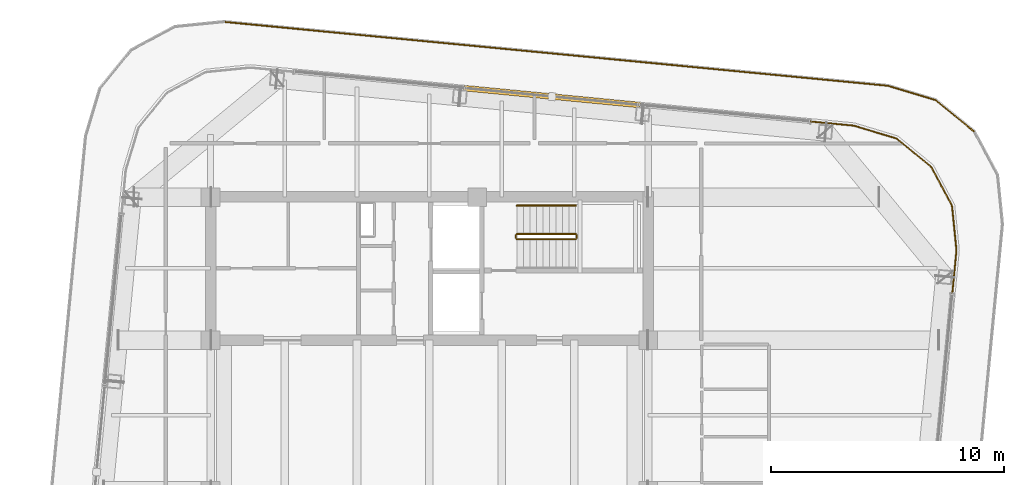
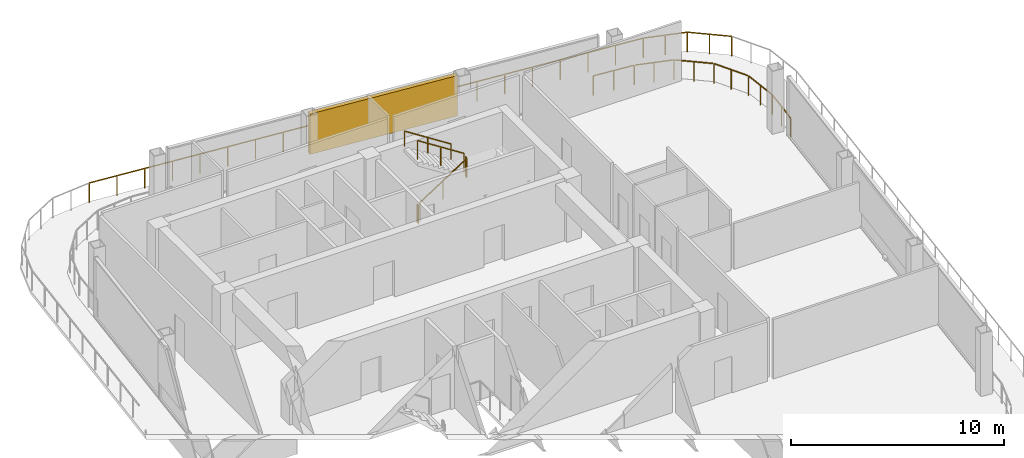
# One storey, part 19 of 20: 9 railings, 1 shading device.
"""IFC4 building model written with IfcOpenShell, lengths in metres."""

import ifcopenshell
import ifcopenshell.guid

model = None  # the IFC model being written
_history = None  # IfcOwnerHistory: only IFC2X3 demands one
_inside = {}  # id of a spatial element -> (the spatial element, [elements in it])
_under = {}  # id of a project, library or spatial element -> (it, [spatial elements below it])
_declared = {}  # id of a project -> (the project, [libraries it declares])
_typed = {}  # id of a type object -> (the type object, [elements of that type])
_made_of = {}  # id of a material, layer set ... -> (it, [elements and type objects made of it])


def new_model(schema):
    """Start an empty IFC model of exactly this schema.

    Asked for "IFC4X3", IfcOpenShell would pick the latest addendum, in which some entities
    have other attributes; the version numbers below select the first issue.
    IFC2X3 requires an IfcOwnerHistory on every rooted entity: one is made here for all.
    """
    global model, _history
    if schema == "IFC4X3":
        model = ifcopenshell.file(schema_version=(4, 3, 0, 0))
    else:
        model = ifcopenshell.file(schema=schema)
    _inside.clear()
    _under.clear()
    _declared.clear()
    _typed.clear()
    _made_of.clear()
    _history = None
    if model.schema == "IFC2X3":
        org = make("IfcOrganization", Name="unknown")
        user = make(
            "IfcPersonAndOrganization",
            ThePerson=make("IfcPerson", FamilyName="unknown"),
            TheOrganization=org,
        )
        app = make(
            "IfcApplication",
            ApplicationDeveloper=org,
            Version="unknown",
            ApplicationFullName="unknown",
            ApplicationIdentifier="unknown",
        )
        _history = make(
            "IfcOwnerHistory",
            OwningUser=user,
            OwningApplication=app,
            ChangeAction="ADDED",
            CreationDate=0,
        )
    return model


def make(cls, **values):
    """One entity of the class cls with the attributes given. An attribute that is None is left unset."""
    return model.create_entity(
        cls, **{name: value for name, value in values.items() if value is not None}
    )


def rooted(cls, **values):
    """An entity with a GlobalId (a new one), such as an element, a storey or a relation."""
    return make(cls, GlobalId=ifcopenshell.guid.new(), OwnerHistory=_history, **values)


def si_unit(unit_type, name, prefix=None):
    """IfcSIUnit, for example si_unit("LENGTHUNIT", "METRE", prefix="MILLI")."""
    return make("IfcSIUnit", UnitType=unit_type, Prefix=prefix, Name=name)


def assignment(units):
    """IfcUnitAssignment: the units of a project."""
    return None if units is None else make("IfcUnitAssignment", Units=units)


def point(xyz):
    """IfcCartesianPoint."""
    return None if xyz is None else make("IfcCartesianPoint", Coordinates=xyz)


def direction(xyz):
    """IfcDirection."""
    return None if xyz is None else make("IfcDirection", DirectionRatios=xyz)


def frame(location, z_axis=None, x_axis=None):
    """IfcAxis2Placement3D, a coordinate frame: its origin and axes. An axis left out is left unset."""
    return make(
        "IfcAxis2Placement3D",
        Location=point(location),
        Axis=direction(z_axis),
        RefDirection=direction(x_axis),
    )


def frame_2d(location, x_axis=None):
    """IfcAxis2Placement2D, a coordinate frame in the plane: its origin and x axis."""
    return make(
        "IfcAxis2Placement2D", Location=point(location), RefDirection=direction(x_axis)
    )


def origin():
    """The frame at (0, 0, 0) with its axes left unset."""
    return frame((0.0, 0.0, 0.0))


def origin_2d():
    """The frame at (0, 0) in the plane with its x axis left unset."""
    return frame_2d((0.0, 0.0))


def place(relative_to, where):
    """IfcLocalPlacement: puts the frame where relative to a parent placement (None: the world)."""
    return make(
        "IfcLocalPlacement", PlacementRelTo=relative_to, RelativePlacement=where
    )


def context(
    kind, dimensions, precision=None, world=None, true_north=None, identifier=None
):
    """IfcGeometricRepresentationContext, for example the 3D "Model" context."""
    return make(
        "IfcGeometricRepresentationContext",
        ContextIdentifier=identifier,
        ContextType=kind,
        CoordinateSpaceDimension=dimensions,
        Precision=precision,
        WorldCoordinateSystem=world,
        TrueNorth=true_north,
    )


def subcontext(parent, identifier, kind, view, scale=None):
    """IfcGeometricRepresentationSubContext, for example "Body" below "Model"."""
    return make(
        "IfcGeometricRepresentationSubContext",
        ContextIdentifier=identifier,
        ContextType=kind,
        ParentContext=parent,
        TargetScale=scale,
        TargetView=view,
    )


def project(units=None, contexts=None):
    """IfcProject with its units and contexts."""
    return rooted(
        "IfcProject",
        Name="project",
        RepresentationContexts=contexts,
        UnitsInContext=assignment(units),
    )


def spatial(cls, under=None, at=None, **own):
    """A site, building, storey or space (cls), placed at a placement, below another one or the project."""
    s = rooted(cls, ObjectPlacement=at, **own)
    if under is not None:
        _under.setdefault(under.id(), (under, []))[1].append(s)
    return s


def profile(cls, at=None, kind="AREA", **sizes):
    """A parametric profile (cls). Its sizes go by their IFC names, for example OverallWidth=200.0."""
    return make(cls, ProfileType=kind, Position=at, **sizes)


def rectangle(**sizes):
    """IfcRectangleProfileDef."""
    return profile("IfcRectangleProfileDef", **sizes)


def extrude(swept, where, along, depth):
    """IfcExtrudedAreaSolid: the profile swept, set in the frame where, extruded along a direction by depth."""
    return make(
        "IfcExtrudedAreaSolid",
        SweptArea=swept,
        Position=where,
        ExtrudedDirection=direction(along),
        Depth=depth,
    )


def shape(context_of_items, identifier, shape_type, items):
    """IfcShapeRepresentation: the items that make up one representation, for example the "Body"."""
    return make(
        "IfcShapeRepresentation",
        ContextOfItems=context_of_items,
        RepresentationIdentifier=identifier,
        RepresentationType=shape_type,
        Items=items,
    )


def material(Name=None, Category=None):
    """IfcMaterial."""
    return make("IfcMaterial", Name=Name, Category=Category)


def made_of(thing, what):
    """Note that an element or type object is made of a material, layer set ...; save() writes the relation."""
    if what is not None:
        _made_of.setdefault(what.id(), (what, []))[1].append(thing)
    return thing


def type_object(cls, material=None, **own):
    """A type object (cls), such as IfcWallType, which elements share."""
    return made_of(rooted(cls, **own), material)


def element(
    cls,
    number,
    at=None,
    inside=None,
    cuts=None,
    type_object=None,
    material=None,
    context=None,
    identifier="Body",
    shape_type=None,
    held_by="IfcProductDefinitionShape",
    body=None,
    shapes=None,
    **own,
):
    """One element of the class cls, such as IfcWall. Its Tag is "e" and its number.

    at: its placement. inside: the storey or other place that contains it. cuts: it is an
    opening in that element (IfcRelVoidsElement). A single representation is given by context,
    identifier, shape_type and body (its items); several are given by shapes. held_by: the class
    of the entity that holds the representations. save() writes the other relations.
    """
    e = rooted(cls, Tag="e%d" % number, ObjectPlacement=at, **own)
    if body is not None:
        shapes = [shape(context, identifier, shape_type, body)]
    if shapes is not None:
        e.Representation = make(held_by, Representations=shapes)
    if inside is not None:
        _inside.setdefault(inside.id(), (inside, []))[1].append(e)
    if cuts is not None:
        rooted(
            "IfcRelVoidsElement", RelatingBuildingElement=cuts, RelatedOpeningElement=e
        )
    if type_object is not None:
        _typed.setdefault(type_object.id(), (type_object, []))[1].append(e)
    return made_of(e, material)


def aggregate(whole, parts):
    """IfcRelAggregates: a whole, such as a stair, and the parts it consists of."""
    return rooted("IfcRelAggregates", RelatingObject=whole, RelatedObjects=parts)


def save(model, path):
    """Write the relations noted so far, then the file.

    IfcRelAggregates (storeys below a building ...), IfcRelContainedInSpatialStructure (elements
    in a storey), IfcRelDefinesByType, IfcRelAssociatesMaterial and IfcRelDeclares: one each for
    every whole, place, type object, material and project.
    """
    for whole, parts in _under.values():
        aggregate(whole, parts)
    for where, things in _inside.values():
        rooted(
            "IfcRelContainedInSpatialStructure",
            RelatedElements=things,
            RelatingStructure=where,
        )
    for kind, things in _typed.values():
        rooted("IfcRelDefinesByType", RelatedObjects=things, RelatingType=kind)
    for what, things in _made_of.values():
        rooted("IfcRelAssociatesMaterial", RelatedObjects=things, RelatingMaterial=what)
    for by, libraries in _declared.values():
        rooted("IfcRelDeclares", RelatingContext=by, RelatedDefinitions=libraries)
    model.write(path)


model = new_model("IFC4")

# Units and contexts
model_context = context("Model", 3, precision=1e-05, world=origin(), true_north=direction((0.0, 1.0)))
body_context = subcontext(model_context, "Body", "Model", "MODEL_VIEW")
ifc_project = project(units=[si_unit("LENGTHUNIT", "METRE"), si_unit("AREAUNIT", "SQUARE_METRE"), si_unit("VOLUMEUNIT", "CUBIC_METRE"), si_unit("PLANEANGLEUNIT", "RADIAN"), si_unit("MASSUNIT", "GRAM", prefix="KILO")], contexts=[model_context])

# Site, building, storey
site_placement = place(None, origin())
site = spatial("IfcSite", under=ifc_project, at=site_placement, CompositionType="ELEMENT")
building_placement = place(site_placement, origin())
building = spatial("IfcBuilding", under=site, at=building_placement, Name="Qhalaya Broadcast Tower", CompositionType="ELEMENT")
storey_placement = place(building_placement, frame((0.0, 0.0, 273.35009765625)))
storey = spatial("IfcBuildingStorey", under=building, at=storey_placement, Name="L81", CompositionType="ELEMENT", Elevation=273.35009765625)

# Railings
ifc_material_1 = material(Name="Powder-Coated Galvanised Steel", Category="steel")
railing_type_1 = type_object("IfcRailingType", Name="Stair Wall Handrail 900", PredefinedType="HANDRAIL", material=ifc_material_1)
railing_1_placement = place(storey_placement, frame((6.27001953125, 9.590087890625, 1.97998046875)))
element("IfcRailing", 1, at=railing_1_placement, inside=storey, type_object=railing_type_1, Name="L81 ST-1 Stair Handrail 2", PredefinedType="HANDRAIL", context=body_context, shape_type="SweptSolid", body=[
    extrude(rectangle(XDim=0.048095703125, YDim=0.048095703125, at=origin_2d()), frame((0.0, 0.0, 0.8759765625), z_axis=(-0.841199657755, 0.0, 0.540724639528), x_axis=(0.0, -1.0, 0.0)), (0.0, 0.0, 1.0), 2.995849609375),
    extrude(rectangle(XDim=0.0419921875, YDim=0.0419921875, at=origin_2d()), origin(), (0.0, 0.0, 1.0), 0.849853515625),
    extrude(rectangle(XDim=0.0419921875, YDim=0.0419921875, at=origin_2d()), frame((-1.260009765625, 0.0, 0.81005859375)), (0.0, 0.0, 1.0), 0.849853515625),
    extrude(rectangle(XDim=0.0419921875, YDim=0.0419921875, at=origin_2d()), frame((-2.52001953125, 0.0, 1.619873046875)), (0.0, 0.0, 1.0), 0.849853515625),
])
railing_type_2 = type_object("IfcRailingType", Name="Stair Well & Landing Guardrail 1100", PredefinedType="GUARDRAIL", material=ifc_material_1)
railing_2_placement = place(storey_placement, frame((3.75, 8.14990234375, 0.179931640625)))
element("IfcRailing", 2, at=railing_2_placement, inside=storey, type_object=railing_type_2, Name="L81 ST-1 Stair Guard 1", PredefinedType="GUARDRAIL", context=body_context, shape_type="SweptSolid", body=[
    extrude(rectangle(XDim=0.048095703125, YDim=0.048095703125, at=origin_2d()), frame((0.0, 0.0, 1.076171875), z_axis=(0.841199657755, 0.0, 0.540724639528), x_axis=(0.0, 1.0, 0.0)), (0.0, 0.0, 1.0), 2.995849609375),
    extrude(rectangle(XDim=0.0419921875, YDim=0.0419921875, at=origin_2d()), origin(), (0.0, 0.0, 1.0), 1.050048828125),
    extrude(rectangle(XDim=0.0419921875, YDim=0.0419921875, at=origin_2d()), frame((1.260009765625, 0.0, 0.81005859375)), (0.0, 0.0, 1.0), 1.050048828125),
    extrude(rectangle(XDim=0.0419921875, YDim=0.0419921875, at=origin_2d()), frame((2.52001953125, 0.0, 1.619873046875)), (0.0, 0.0, 1.0), 1.050048828125),
])
railing_3_placement = place(storey_placement, frame((6.320068359375, 8.199951171875, 1.7998046875)))
element("IfcRailing", 3, at=railing_3_placement, inside=storey, type_object=railing_type_2, Name="L81 ST-1 Stair Guard 2", PredefinedType="GUARDRAIL", context=body_context, shape_type="SweptSolid", body=[
    extrude(rectangle(XDim=0.048095703125, YDim=0.048095703125, at=origin_2d()), frame((0.0, 0.0, 1.076171875), z_axis=(0.0, 1.0, 0.0), x_axis=(-1.0, 0.0, 0.0)), (0.0, 0.0, 1.0), 0.1201171875),
    extrude(rectangle(XDim=0.0419921875, YDim=0.0419921875, at=origin_2d()), origin(), (0.0, 0.0, 1.0), 1.050048828125),
    extrude(rectangle(XDim=0.0419921875, YDim=0.0419921875, at=origin_2d()), frame((0.0, 0.1201171875, 0.0)), (0.0, 0.0, 1.0), 1.050048828125),
])
railing_4_placement = place(storey_placement, frame((6.27001953125, 8.3701171875, 1.97998046875)))
element("IfcRailing", 4, at=railing_4_placement, inside=storey, type_object=railing_type_2, Name="L81 ST-1 Stair Guard 3", PredefinedType="GUARDRAIL", context=body_context, shape_type="SweptSolid", body=[
    extrude(rectangle(XDim=0.048095703125, YDim=0.048095703125, at=origin_2d()), frame((0.0, 0.0, 1.076171875), z_axis=(-0.841199657755, 0.0, 0.540724639528), x_axis=(0.0, -1.0, 0.0)), (0.0, 0.0, 1.0), 2.995849609375),
    extrude(rectangle(XDim=0.0419921875, YDim=0.0419921875, at=origin_2d()), origin(), (0.0, 0.0, 1.0), 1.050048828125),
    extrude(rectangle(XDim=0.0419921875, YDim=0.0419921875, at=origin_2d()), frame((-1.260009765625, 0.0, 0.81005859375)), (0.0, 0.0, 1.0), 1.050048828125),
    extrude(rectangle(XDim=0.0419921875, YDim=0.0419921875, at=origin_2d()), frame((-2.52001953125, 0.0, 1.619873046875)), (0.0, 0.0, 1.0), 1.050048828125),
])
railing_5_placement = place(storey_placement, frame((3.699951171875, 8.199951171875, 0.0)))
element("IfcRailing", 5, at=railing_5_placement, inside=storey, type_object=railing_type_2, Name="L81 ST-1 Stair Guard 4", PredefinedType="GUARDRAIL", context=body_context, shape_type="SweptSolid", body=[
    extrude(rectangle(XDim=0.048095703125, YDim=0.048095703125, at=origin_2d()), frame((0.0, 0.0, 1.076171875), z_axis=(0.0, 1.0, 0.0), x_axis=(-1.0, 0.0, 0.0)), (0.0, 0.0, 1.0), 0.1201171875),
    extrude(rectangle(XDim=0.0419921875, YDim=0.0419921875, at=origin_2d()), origin(), (0.0, 0.0, 1.0), 1.050048828125),
    extrude(rectangle(XDim=0.0419921875, YDim=0.0419921875, at=origin_2d()), frame((0.0, 0.1201171875, 0.0)), (0.0, 0.0, 1.0), 1.050048828125),
])
railing_type_3 = type_object("IfcRailingType", Name="Terrace, Sky-Pool & Lookout Glass Balustrade 1150", PredefinedType="BALUSTRADE", material=ifc_material_1)
railing_6_placement = place(storey_placement, frame((-8.796142578125, 17.458984375, 0.0)))
element("IfcRailing", 6, at=railing_6_placement, inside=storey, type_object=railing_type_3, Name="L81 Perimeter Safety Balustrade BAL-TER1-11", PredefinedType="BALUSTRADE", context=body_context, shape_type="SweptSolid", body=[
    extrude(rectangle(XDim=0.048095703125, YDim=0.048095703125, at=origin_2d()), frame((0.0, 0.0, 1.1259765625), z_axis=(0.995396783625, -0.095839674187, 0.0), x_axis=(0.095839674187, 0.995396783625, 0.0)), (0.0, 0.0, 1.0), 28.584228515625),
    extrude(rectangle(XDim=0.0419921875, YDim=0.0419921875, at=origin_2d()), origin(), (0.0, 0.0, 1.0), 1.099853515625),
    extrude(rectangle(XDim=0.0419921875, YDim=0.0419921875, at=origin_2d()), frame((1.422607421875, -0.136962890625, 0.0)), (0.0, 0.0, 1.0), 1.099853515625),
    extrude(rectangle(XDim=0.0419921875, YDim=0.0419921875, at=origin_2d()), frame((2.84521484375, -0.27392578125, 0.0)), (0.0, 0.0, 1.0), 1.099853515625),
    extrude(rectangle(XDim=0.0419921875, YDim=0.0419921875, at=origin_2d()), frame((4.267822265625, -0.410888671875, 0.0)), (0.0, 0.0, 1.0), 1.099853515625),
    extrude(rectangle(XDim=0.0419921875, YDim=0.0419921875, at=origin_2d()), frame((5.6904296875, -0.5478515625, 0.0)), (0.0, 0.0, 1.0), 1.099853515625),
    extrude(rectangle(XDim=0.0419921875, YDim=0.0419921875, at=origin_2d()), frame((7.11328125, -0.684814453125, 0.0)), (0.0, 0.0, 1.0), 1.099853515625),
    extrude(rectangle(XDim=0.0419921875, YDim=0.0419921875, at=origin_2d()), frame((8.535888671875, -0.82177734375, 0.0)), (0.0, 0.0, 1.0), 1.099853515625),
    extrude(rectangle(XDim=0.0419921875, YDim=0.0419921875, at=origin_2d()), frame((9.95849609375, -0.958740234375, 0.0)), (0.0, 0.0, 1.0), 1.099853515625),
    extrude(rectangle(XDim=0.0419921875, YDim=0.0419921875, at=origin_2d()), frame((11.381103515625, -1.095703125, 0.0)), (0.0, 0.0, 1.0), 1.099853515625),
    extrude(rectangle(XDim=0.0419921875, YDim=0.0419921875, at=origin_2d()), frame((12.8037109375, -1.232666015625, 0.0)), (0.0, 0.0, 1.0), 1.099853515625),
    extrude(rectangle(XDim=0.0419921875, YDim=0.0419921875, at=origin_2d()), frame((14.226318359375, -1.36962890625, 0.0)), (0.0, 0.0, 1.0), 1.099853515625),
    extrude(rectangle(XDim=0.0419921875, YDim=0.0419921875, at=origin_2d()), frame((15.64892578125, -1.5068359375, 0.0)), (0.0, 0.0, 1.0), 1.099853515625),
    extrude(rectangle(XDim=0.0419921875, YDim=0.0419921875, at=origin_2d()), frame((17.071533203125, -1.643798828125, 0.0)), (0.0, 0.0, 1.0), 1.099853515625),
    extrude(rectangle(XDim=0.0419921875, YDim=0.0419921875, at=origin_2d()), frame((18.494140625, -1.78076171875, 0.0)), (0.0, 0.0, 1.0), 1.099853515625),
    extrude(rectangle(XDim=0.0419921875, YDim=0.0419921875, at=origin_2d()), frame((19.916748046875, -1.917724609375, 0.0)), (0.0, 0.0, 1.0), 1.099853515625),
    extrude(rectangle(XDim=0.0419921875, YDim=0.0419921875, at=origin_2d()), frame((21.33935546875, -2.0546875, 0.0)), (0.0, 0.0, 1.0), 1.099853515625),
    extrude(rectangle(XDim=0.0419921875, YDim=0.0419921875, at=origin_2d()), frame((22.76220703125, -2.191650390625, 0.0)), (0.0, 0.0, 1.0), 1.099853515625),
    extrude(rectangle(XDim=0.0419921875, YDim=0.0419921875, at=origin_2d()), frame((24.184814453125, -2.32861328125, 0.0)), (0.0, 0.0, 1.0), 1.099853515625),
    extrude(rectangle(XDim=0.0419921875, YDim=0.0419921875, at=origin_2d()), frame((25.607421875, -2.465576171875, 0.0)), (0.0, 0.0, 1.0), 1.099853515625),
    extrude(rectangle(XDim=0.0419921875, YDim=0.0419921875, at=origin_2d()), frame((27.030029296875, -2.6025390625, 0.0)), (0.0, 0.0, 1.0), 1.099853515625),
    extrude(rectangle(XDim=0.0419921875, YDim=0.0419921875, at=origin_2d()), frame((28.45263671875, -2.739501953125, 0.0)), (0.0, 0.0, 1.0), 1.099853515625),
])
railing_7_placement = place(storey_placement, frame((19.656494140625, 14.719482421875, 0.0)))
element("IfcRailing", 7, at=railing_7_placement, inside=storey, type_object=railing_type_3, Name="L81 Perimeter Safety Balustrade BAL-TER1-12", PredefinedType="BALUSTRADE", context=body_context, shape_type="SweptSolid", body=[
    extrude(rectangle(XDim=0.048095703125, YDim=0.048095703125, at=origin_2d()), frame((0.0, 0.0, 1.1259765625), z_axis=(0.957578968467, -0.288170989429, 0.0), x_axis=(0.288170989429, 0.957578968467, 0.0)), (0.0, 0.0, 1.0), 2.122314453125),
    extrude(rectangle(XDim=0.0419921875, YDim=0.0419921875, at=origin_2d()), origin(), (0.0, 0.0, 1.0), 1.099853515625),
    extrude(rectangle(XDim=0.0419921875, YDim=0.0419921875, at=origin_2d()), frame((1.01611328125, -0.3056640625, 0.0)), (0.0, 0.0, 1.0), 1.099853515625),
    extrude(rectangle(XDim=0.0419921875, YDim=0.0419921875, at=origin_2d()), frame((2.0322265625, -0.611572265625, 0.0)), (0.0, 0.0, 1.0), 1.099853515625),
])
railing_8_placement = place(storey_placement, frame((21.688720703125, 14.10791015625, 0.0)))
element("IfcRailing", 8, at=railing_8_placement, inside=storey, type_object=railing_type_3, Name="L81 Perimeter Safety Balustrade BAL-TER1-13", PredefinedType="BALUSTRADE", context=body_context, shape_type="SweptSolid", body=[
    extrude(rectangle(XDim=0.048095703125, YDim=0.048095703125, at=origin_2d()), frame((0.0, 0.0, 1.1259765625), z_axis=(0.774291625152, -0.632828949416, 0.0), x_axis=(0.632828949416, 0.774291625152, 0.0)), (0.0, 0.0, 1.0), 2.1142578125),
    extrude(rectangle(XDim=0.0419921875, YDim=0.0419921875, at=origin_2d()), origin(), (0.0, 0.0, 1.0), 1.099853515625),
    extrude(rectangle(XDim=0.0419921875, YDim=0.0419921875, at=origin_2d()), frame((0.818359375, -0.6689453125, 0.0)), (0.0, 0.0, 1.0), 1.099853515625),
    extrude(rectangle(XDim=0.0419921875, YDim=0.0419921875, at=origin_2d()), frame((1.636962890625, -1.337890625, 0.0)), (0.0, 0.0, 1.0), 1.099853515625),
])
railing_9_placement = place(storey_placement, frame((16.07373046875, 13.2158203125, 0.0)))
element("IfcRailing", 9, at=railing_9_placement, inside=storey, type_object=railing_type_3, Name="L81 Rounded Corner Perimeter Guard 04", PredefinedType="BALUSTRADE", context=body_context, shape_type="SweptSolid", body=[
    extrude(rectangle(XDim=0.048095703125, YDim=0.048095703125, at=origin_2d()), frame((0.0, 0.0, 1.1259765625), z_axis=(0.995391273094, -0.095896889673, 0.0), x_axis=(0.095896889673, 0.995391273094, 0.0)), (0.0, 0.0, 1.0), 2.08935546875),
    extrude(rectangle(XDim=0.048095703125, YDim=0.048095703125, at=origin_2d()), frame((2.135986328125, -0.21142578125, 1.1259765625), z_axis=(0.957601447485, -0.288096282124, 0.0), x_axis=(0.288096282124, 0.957601447485, 0.0)), (0.0, 0.0, 1.0), 1.857421875),
    extrude(rectangle(XDim=0.048095703125, YDim=0.048095703125, at=origin_2d()), frame((3.96484375, -0.773193359375, 1.1259765625), z_axis=(0.774357190213, -0.63274871945, 0.0), x_axis=(0.63274871945, 0.774357190213, 0.0)), (0.0, 0.0, 1.0), 1.845703125),
    extrude(rectangle(XDim=0.048095703125, YDim=0.048095703125, at=origin_2d()), frame((5.429931640625, -1.984619140625, 1.1259765625), z_axis=(0.473242797018, -0.880932037714, 0.0), x_axis=(0.880932037714, 0.473242797018, 0.0)), (0.0, 0.0, 1.0), 1.845458984375),
    extrude(rectangle(XDim=0.048095703125, YDim=0.048095703125, at=origin_2d()), frame((6.31982421875, -3.66455078125, 1.1259765625), z_axis=(0.100197883148, -0.994967529225, 0.0), x_axis=(0.994967529225, 0.100197883148, 0.0)), (0.0, 0.0, 1.0), 1.857421875),
    extrude(rectangle(XDim=0.048095703125, YDim=0.048095703125, at=origin_2d()), frame((6.506103515625, -5.570068359375, 1.1259765625), z_axis=(-0.095896889673, -0.995391273094, 0.0), x_axis=(0.995391273094, -0.095896889673, 0.0)), (0.0, 0.0, 1.0), 2.08935546875),
    extrude(rectangle(XDim=0.0419921875, YDim=0.0419921875, at=origin_2d()), origin(), (0.0, 0.0, 1.0), 1.099853515625),
    extrude(rectangle(XDim=0.0419921875, YDim=0.0419921875, at=origin_2d()), frame((1.05419921875, -0.1015625, 0.0)), (0.0, 0.0, 1.0), 1.099853515625),
    extrude(rectangle(XDim=0.0419921875, YDim=0.0419921875, at=origin_2d()), frame((2.1083984375, -0.203125, 0.0)), (0.0, 0.0, 1.0), 1.099853515625),
    extrude(rectangle(XDim=0.0419921875, YDim=0.0419921875, at=origin_2d()), frame((3.025390625, -0.47900390625, 0.0)), (0.0, 0.0, 1.0), 1.099853515625),
    extrude(rectangle(XDim=0.0419921875, YDim=0.0419921875, at=origin_2d()), frame((3.9423828125, -0.7548828125, 0.0)), (0.0, 0.0, 1.0), 1.099853515625),
    extrude(rectangle(XDim=0.0419921875, YDim=0.0419921875, at=origin_2d()), frame((4.67919921875, -1.35693359375, 0.0)), (0.0, 0.0, 1.0), 1.099853515625),
    extrude(rectangle(XDim=0.0419921875, YDim=0.0419921875, at=origin_2d()), frame((5.416259765625, -1.959228515625, 0.0)), (0.0, 0.0, 1.0), 1.099853515625),
    extrude(rectangle(XDim=0.0419921875, YDim=0.0419921875, at=origin_2d()), frame((5.86669921875, -2.79736328125, 0.0)), (0.0, 0.0, 1.0), 1.099853515625),
    extrude(rectangle(XDim=0.0419921875, YDim=0.0419921875, at=origin_2d()), frame((6.31689453125, -3.6357421875, 0.0)), (0.0, 0.0, 1.0), 1.099853515625),
    extrude(rectangle(XDim=0.0419921875, YDim=0.0419921875, at=origin_2d()), frame((6.412841796875, -4.58837890625, 0.0)), (0.0, 0.0, 1.0), 1.099853515625),
    extrude(rectangle(XDim=0.0419921875, YDim=0.0419921875, at=origin_2d()), frame((6.5087890625, -5.541259765625, 0.0)), (0.0, 0.0, 1.0), 1.099853515625),
    extrude(rectangle(XDim=0.0419921875, YDim=0.0419921875, at=origin_2d()), frame((6.4072265625, -6.595458984375, 0.0)), (0.0, 0.0, 1.0), 1.099853515625),
    extrude(rectangle(XDim=0.0419921875, YDim=0.0419921875, at=origin_2d()), frame((6.3056640625, -7.649658203125, 0.0)), (0.0, 0.0, 1.0), 1.099853515625),
])

# Shading device
ifc_material_2 = material(Name="Fired Architectural Terracotta", Category="masonry")
shading_device_type = type_object("IfcShadingDeviceType", Name="Terracotta Baguette Solar Screen Assembly TBS-01", PredefinedType="USERDEFINED", material=ifc_material_2)
shading_device_placement = place(storey_placement, frame((5.25390625, 14.2578125, 0.95458984375), z_axis=(0.0, 0.0, 1.0), x_axis=(-0.995396198367, 0.09584575252, 0.0)))
element("IfcShadingDevice", 10, at=shading_device_placement, inside=storey, type_object=shading_device_type, Name="L81 Fired Terracotta Baguette Screen N", ObjectType="BAGUETTE", PredefinedType="USERDEFINED", context=body_context, shape_type="SweptSolid", body=[
    extrude(rectangle(XDim=7.60009765625, YDim=0.239990234375, at=origin_2d()), origin(), (0.0, 0.0, 1.0), 2.319091796875),
])

save(model, "model.ifc")
